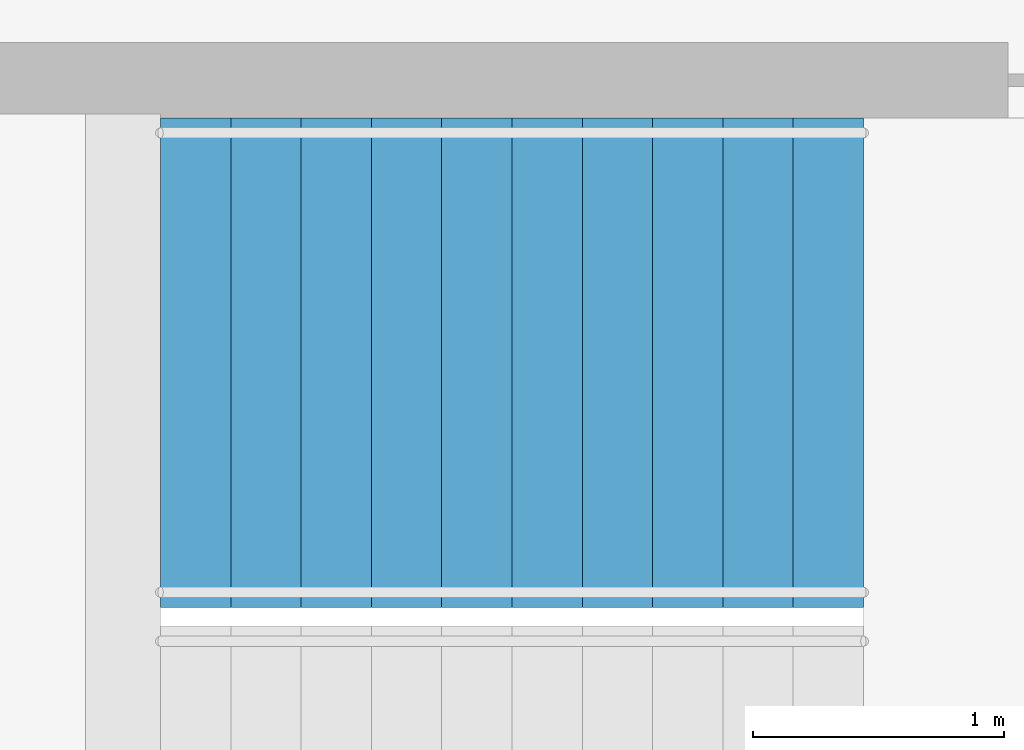
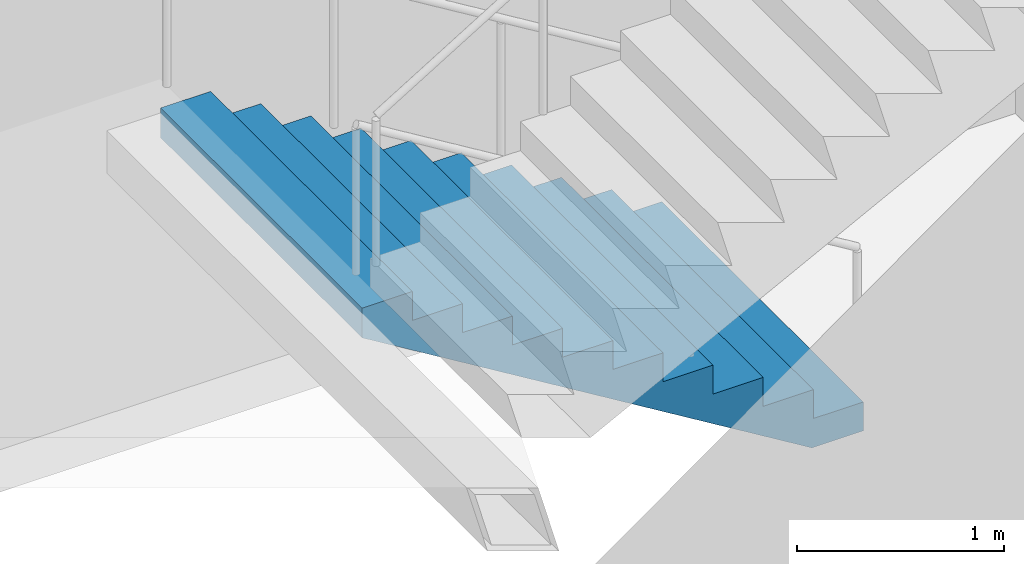
# One storey, part 20 of 21: 1 stair flight, 1 element without a shape of its own.
"""IFC4 building model written with IfcOpenShell, lengths in metres."""

from ifc_helpers import new_model, si_unit, direction, frame, origin, place, context, subcontext, project, spatial, triangles, material, type_object, element, aggregate, save


model = new_model("IFC4")

# Units and contexts
model_context = context("Model", 3, precision=1e-05, world=origin(), true_north=direction((0.0, 1.0)))
body_context = subcontext(model_context, "Body", "Model", "MODEL_VIEW")
ifc_project = project(units=[si_unit("LENGTHUNIT", "METRE"), si_unit("AREAUNIT", "SQUARE_METRE"), si_unit("VOLUMEUNIT", "CUBIC_METRE"), si_unit("PLANEANGLEUNIT", "RADIAN"), si_unit("MASSUNIT", "GRAM", prefix="KILO")], contexts=[model_context])

# Site, building, storey
site_placement = place(None, origin())
site = spatial("IfcSite", under=ifc_project, at=site_placement, CompositionType="ELEMENT")
building_placement = place(site_placement, origin())
building = spatial("IfcBuilding", under=site, at=building_placement, Name="Orbita Commons", CompositionType="ELEMENT")
storey_placement = place(building_placement, frame((0.0, 0.0, 88.14990234375)))
storey = spatial("IfcBuildingStorey", under=building, at=storey_placement, Name="L21", CompositionType="ELEMENT", Elevation=88.14990234375)

# Stair, stair flight
ifc_material_1 = material(Name="Precast concrete C40/50", Category="concrete")
stair_type = type_object("IfcStairType", Name="Exit stair S2 2 flights 11 risers 170", PredefinedType="HALF_TURN_STAIR", material=ifc_material_1)
stair_placement = place(storey_placement, origin())
stair = element("IfcStair", 1, at=stair_placement, inside=storey, type_object=stair_type, Name="Exit stair S2 L21", PredefinedType="HALF_TURN_STAIR")
ifc_material_2 = material(Name="Precast concrete C40/50", Category="concrete")
stair_flight_type = type_object("IfcStairFlightType", Name="Stair flight 11 risers 170 x 280", PredefinedType="STRAIGHT", material=ifc_material_2)
stair_flight_placement = place(storey_placement, frame((63.550048828125, 29.27490234375, 0.0), z_axis=(0.0, 0.0, 1.0), x_axis=(-1.0, 0.0, 0.0)))
stair_flight = element("IfcStairFlight", 2, at=stair_flight_placement, type_object=stair_flight_type, Name="S2 flight 1", NumberOfRisers=11, NumberOfTreads=10, PredefinedType="STRAIGHT", RiserHeight=0.170454545, TreadLength=0.28, context=body_context, shape_type="Tessellation", body=[
    triangles([(0.0, 0.974976, 0.0), (0.0, 0.974976, 0.021307), (0.0, 0.81248, 0.021307), (0.0, 0.81248, 0.0), (0.0, 0.649984, 0.021307), (0.0, 0.649984, 0.0), (0.0, 0.487488, 0.021307), (0.0, 0.487488, 0.0), (0.0, 0.324992, 0.021307), (0.0, 0.324992, 0.0), (0.0, 0.162496, 0.021307), (0.0, 0.162496, 0.0), (0.0, 0.0, 0.021307), (0.0, 0.0, 0.0), (0.0, -0.162496, 0.021307), (0.0, -0.162496, 0.0), (0.0, -0.324992, 0.021307), (0.0, -0.324992, 0.0), (0.0, -0.487488, 0.021307), (0.0, -0.487488, 0.0), (0.0, -0.649984, 0.021307), (0.0, -0.649984, 0.0), (0.0, -0.81248, 0.021307), (0.0, -0.81248, 0.0), (0.0, -0.974976, 0.021307), (0.0, -0.974976, 0.0), (0.0, 0.974976, 0.042614), (0.0, 0.81248, 0.042614), (0.0, 0.649984, 0.042614), (0.0, 0.487488, 0.042614), (0.0, 0.324992, 0.042614), (0.0, 0.162496, 0.042614), (0.0, 0.0, 0.042614), (0.0, -0.162496, 0.042614), (0.0, -0.324992, 0.042614), (0.0, -0.487488, 0.042614), (0.0, -0.649984, 0.042614), (0.0, -0.81248, 0.042614), (0.0, -0.974976, 0.042614), (0.0, 0.974976, 0.06392), (0.0, 0.81248, 0.06392), (0.0, 0.649984, 0.06392), (0.0, 0.487488, 0.06392), (0.0, 0.324992, 0.06392), (0.0, 0.162496, 0.06392), (0.0, 0.0, 0.06392), (0.0, -0.162496, 0.06392), (0.0, -0.324992, 0.06392), (0.0, -0.487488, 0.06392), (0.0, -0.649984, 0.06392), (0.0, -0.81248, 0.06392), (0.0, -0.974976, 0.06392), (0.0, 0.974976, 0.085227), (0.0, 0.81248, 0.085227), (0.0, 0.649984, 0.085227), (0.0, 0.487488, 0.085227), (0.0, 0.324992, 0.085227), (0.0, 0.162496, 0.085227), (0.0, 0.0, 0.085227), (0.0, -0.162496, 0.085227), (0.0, -0.324992, 0.085227), (0.0, -0.487488, 0.085227), (0.0, -0.649984, 0.085227), (0.0, -0.81248, 0.085227), (0.0, -0.974976, 0.085227), (0.0, 0.974976, 0.106534), (0.0, 0.81248, 0.106534), (0.0, 0.649984, 0.106534), (0.0, 0.487488, 0.106534), (0.0, 0.324992, 0.106534), (0.0, 0.162496, 0.106534), (0.0, 0.0, 0.106534), (0.0, -0.162496, 0.106534), (0.0, -0.324992, 0.106534), (0.0, -0.487488, 0.106534), (0.0, -0.649984, 0.106534), (0.0, -0.81248, 0.106534), (0.0, -0.974976, 0.106534), (0.0, 0.974976, 0.127841), (0.0, 0.81248, 0.127841), (0.0, 0.649984, 0.127841), (0.0, 0.487488, 0.127841), (0.0, 0.324992, 0.127841), (0.0, 0.162496, 0.127841), (0.0, 0.0, 0.127841), (0.0, -0.162496, 0.127841), (0.0, -0.324992, 0.127841), (0.0, -0.487488, 0.127841), (0.0, -0.649984, 0.127841), (0.0, -0.81248, 0.127841), (0.0, -0.974976, 0.127841), (0.0, 0.974976, 0.149148), (0.0, 0.81248, 0.149148), (0.0, 0.649984, 0.149148), (0.0, 0.487488, 0.149148), (0.0, 0.324992, 0.149148), (0.0, 0.162496, 0.149148), (0.0, 0.0, 0.149148), (0.0, -0.162496, 0.149148), (0.0, -0.324992, 0.149148), (0.0, -0.487488, 0.149148), (0.0, -0.649984, 0.149148), (0.0, -0.81248, 0.149148), (0.0, -0.974976, 0.149148), (0.0, 0.974976, 0.170455), (0.0, 0.81248, 0.170455), (0.0, 0.649984, 0.170455), (0.0, 0.487488, 0.170455), (0.0, 0.324992, 0.170455), (0.0, 0.162496, 0.170455), (0.0, 0.0, 0.170455), (0.0, -0.162496, 0.170455), (0.0, -0.324992, 0.170455), (0.0, -0.487488, 0.170455), (0.0, -0.649984, 0.170455), (0.0, -0.81248, 0.170455), (0.0, -0.974976, 0.170455), (0.28, 0.974976, 0.170455), (0.28, 0.81248, 0.170455), (0.28, 0.649984, 0.170455), (0.28, 0.487488, 0.170455), (0.28, 0.324992, 0.170455), (0.28, 0.162496, 0.170455), (0.28, 0.0, 0.170455), (0.28, -0.162496, 0.170455), (0.28, -0.324992, 0.170455), (0.28, -0.487488, 0.170455), (0.28, -0.649984, 0.170455), (0.28, -0.81248, 0.170455), (0.28, -0.974976, 0.170455), (0.28, 0.974976, 0.340909), (0.28, 0.81248, 0.340909), (0.28, 0.649984, 0.340909), (0.28, 0.487488, 0.340909), (0.28, 0.324992, 0.340909), (0.28, 0.162496, 0.340909), (0.28, 0.0, 0.340909), (0.28, -0.162496, 0.340909), (0.28, -0.324992, 0.340909), (0.28, -0.487488, 0.340909), (0.28, -0.649984, 0.340909), (0.28, -0.81248, 0.340909), (0.28, -0.974976, 0.340909), (0.56, 0.974976, 0.340909), (0.56, 0.81248, 0.340909), (0.56, 0.649984, 0.340909), (0.56, 0.487488, 0.340909), (0.56, 0.324992, 0.340909), (0.56, 0.162496, 0.340909), (0.56, 0.0, 0.340909), (0.56, -0.162496, 0.340909), (0.56, -0.324992, 0.340909), (0.56, -0.487488, 0.340909), (0.56, -0.649984, 0.340909), (0.56, -0.81248, 0.340909), (0.56, -0.974976, 0.340909), (0.56, 0.974976, 0.511364), (0.56, 0.81248, 0.511364), (0.56, 0.649984, 0.511364), (0.56, 0.487488, 0.511364), (0.56, 0.324992, 0.511364), (0.56, 0.162496, 0.511364), (0.56, 0.0, 0.511364), (0.56, -0.162496, 0.511364), (0.56, -0.324992, 0.511364), (0.56, -0.487488, 0.511364), (0.56, -0.649984, 0.511364), (0.56, -0.81248, 0.511364), (0.56, -0.974976, 0.511364), (0.84, 0.974976, 0.511364), (0.84, 0.81248, 0.511364), (0.84, 0.649984, 0.511364), (0.84, 0.487488, 0.511364), (0.84, 0.324992, 0.511364), (0.84, 0.162496, 0.511364), (0.84, 0.0, 0.511364), (0.84, -0.162496, 0.511364), (0.84, -0.324992, 0.511364), (0.84, -0.487488, 0.511364), (0.84, -0.649984, 0.511364), (0.84, -0.81248, 0.511364), (0.84, -0.974976, 0.511364), (0.84, 0.974976, 0.681818), (0.84, 0.81248, 0.681818), (0.84, 0.649984, 0.681818), (0.84, 0.487488, 0.681818), (0.84, 0.324992, 0.681818), (0.84, 0.162496, 0.681818), (0.84, 0.0, 0.681818), (0.84, -0.162496, 0.681818), (0.84, -0.324992, 0.681818), (0.84, -0.487488, 0.681818), (0.84, -0.649984, 0.681818), (0.84, -0.81248, 0.681818), (0.84, -0.974976, 0.681818), (1.12, 0.974976, 0.681818), (1.12, 0.81248, 0.681818), (1.12, 0.649984, 0.681818), (1.12, 0.487488, 0.681818), (1.12, 0.324992, 0.681818), (1.12, 0.162496, 0.681818), (1.12, 0.0, 0.681818), (1.12, -0.162496, 0.681818), (1.12, -0.324992, 0.681818), (1.12, -0.487488, 0.681818), (1.12, -0.649984, 0.681818), (1.12, -0.81248, 0.681818), (1.12, -0.974976, 0.681818), (1.12, 0.974976, 0.852273), (1.12, 0.81248, 0.852273), (1.12, 0.649984, 0.852273), (1.12, 0.487488, 0.852273), (1.12, 0.324992, 0.852273), (1.12, 0.162496, 0.852273), (1.12, 0.0, 0.852273), (1.12, -0.162496, 0.852273), (1.12, -0.324992, 0.852273), (1.12, -0.487488, 0.852273), (1.12, -0.649984, 0.852273), (1.12, -0.81248, 0.852273), (1.12, -0.974976, 0.852273), (1.4, 0.974976, 0.852273), (1.4, 0.81248, 0.852273), (1.4, 0.649984, 0.852273), (1.4, 0.487488, 0.852273), (1.4, 0.324992, 0.852273), (1.4, 0.162496, 0.852273), (1.4, 0.0, 0.852273), (1.4, -0.162496, 0.852273), (1.4, -0.324992, 0.852273), (1.4, -0.487488, 0.852273), (1.4, -0.649984, 0.852273), (1.4, -0.81248, 0.852273), (1.4, -0.974976, 0.852273), (1.4, 0.974976, 1.022727), (1.4, 0.81248, 1.022727), (1.4, 0.649984, 1.022727), (1.4, 0.487488, 1.022727), (1.4, 0.324992, 1.022727), (1.4, 0.162496, 1.022727), (1.4, 0.0, 1.022727), (1.4, -0.162496, 1.022727), (1.4, -0.324992, 1.022727), (1.4, -0.487488, 1.022727), (1.4, -0.649984, 1.022727), (1.4, -0.81248, 1.022727), (1.4, -0.974976, 1.022727), (1.68, 0.974976, 1.022727), (1.68, 0.81248, 1.022727), (1.68, 0.649984, 1.022727), (1.68, 0.487488, 1.022727), (1.68, 0.324992, 1.022727), (1.68, 0.162496, 1.022727), (1.68, 0.0, 1.022727), (1.68, -0.162496, 1.022727), (1.68, -0.324992, 1.022727), (1.68, -0.487488, 1.022727), (1.68, -0.649984, 1.022727), (1.68, -0.81248, 1.022727), (1.68, -0.974976, 1.022727), (1.68, 0.974976, 1.193182), (1.68, 0.81248, 1.193182), (1.68, 0.649984, 1.193182), (1.68, 0.487488, 1.193182), (1.68, 0.324992, 1.193182), (1.68, 0.162496, 1.193182), (1.68, 0.0, 1.193182), (1.68, -0.162496, 1.193182), (1.68, -0.324992, 1.193182), (1.68, -0.487488, 1.193182), (1.68, -0.649984, 1.193182), (1.68, -0.81248, 1.193182), (1.68, -0.974976, 1.193182), (1.96, 0.974976, 1.193182), (1.96, 0.81248, 1.193182), (1.96, 0.649984, 1.193182), (1.96, 0.487488, 1.193182), (1.96, 0.324992, 1.193182), (1.96, 0.162496, 1.193182), (1.96, 0.0, 1.193182), (1.96, -0.162496, 1.193182), (1.96, -0.324992, 1.193182), (1.96, -0.487488, 1.193182), (1.96, -0.649984, 1.193182), (1.96, -0.81248, 1.193182), (1.96, -0.974976, 1.193182), (1.96, 0.974976, 1.363636), (1.96, 0.81248, 1.363636), (1.96, 0.649984, 1.363636), (1.96, 0.487488, 1.363636), (1.96, 0.324992, 1.363636), (1.96, 0.162496, 1.363636), (1.96, 0.0, 1.363636), (1.96, -0.162496, 1.363636), (1.96, -0.324992, 1.363636), (1.96, -0.487488, 1.363636), (1.96, -0.649984, 1.363636), (1.96, -0.81248, 1.363636), (1.96, -0.974976, 1.363636), (2.24, 0.974976, 1.363636), (2.24, 0.81248, 1.363636), (2.24, 0.649984, 1.363636), (2.24, 0.487488, 1.363636), (2.24, 0.324992, 1.363636), (2.24, 0.162496, 1.363636), (2.24, 0.0, 1.363636), (2.24, -0.162496, 1.363636), (2.24, -0.324992, 1.363636), (2.24, -0.487488, 1.363636), (2.24, -0.649984, 1.363636), (2.24, -0.81248, 1.363636), (2.24, -0.974976, 1.363636), (2.24, 0.974976, 1.534091), (2.24, 0.81248, 1.534091), (2.24, 0.649984, 1.534091), (2.24, 0.487488, 1.534091), (2.24, 0.324992, 1.534091), (2.24, 0.162496, 1.534091), (2.24, 0.0, 1.534091), (2.24, -0.162496, 1.534091), (2.24, -0.324992, 1.534091), (2.24, -0.487488, 1.534091), (2.24, -0.649984, 1.534091), (2.24, -0.81248, 1.534091), (2.24, -0.974976, 1.534091), (2.52, 0.974976, 1.534091), (2.52, 0.81248, 1.534091), (2.52, 0.649984, 1.534091), (2.52, 0.487488, 1.534091), (2.52, 0.324992, 1.534091), (2.52, 0.162496, 1.534091), (2.52, 0.0, 1.534091), (2.52, -0.162496, 1.534091), (2.52, -0.324992, 1.534091), (2.52, -0.487488, 1.534091), (2.52, -0.649984, 1.534091), (2.52, -0.81248, 1.534091), (2.52, -0.974976, 1.534091), (2.52, 0.974976, 1.704545), (2.52, 0.81248, 1.704545), (2.52, 0.649984, 1.704545), (2.52, 0.487488, 1.704545), (2.52, 0.324992, 1.704545), (2.52, 0.162496, 1.704545), (2.52, 0.0, 1.704545), (2.52, -0.162496, 1.704545), (2.52, -0.324992, 1.704545), (2.52, -0.487488, 1.704545), (2.52, -0.649984, 1.704545), (2.52, -0.81248, 1.704545), (2.52, -0.974976, 1.704545), (2.8, 0.974976, 1.704545), (2.8, 0.81248, 1.704545), (2.8, 0.649984, 1.704545), (2.8, 0.487488, 1.704545), (2.8, 0.324992, 1.704545), (2.8, 0.162496, 1.704545), (2.8, 0.0, 1.704545), (2.8, -0.162496, 1.704545), (2.8, -0.324992, 1.704545), (2.8, -0.487488, 1.704545), (2.8, -0.649984, 1.704545), (2.8, -0.81248, 1.704545), (2.8, -0.974976, 1.704545), (2.8, 0.974976, 1.682609), (2.8, 0.81248, 1.682609), (2.8, 0.649984, 1.682609), (2.8, 0.487488, 1.682609), (2.8, 0.324992, 1.682609), (2.8, 0.162496, 1.682609), (2.8, 0.0, 1.682609), (2.8, -0.162496, 1.682609), (2.8, -0.324992, 1.682609), (2.8, -0.487488, 1.682609), (2.8, -0.649984, 1.682609), (2.8, -0.81248, 1.682609), (2.8, -0.974976, 1.682609), (2.8, 0.974976, 1.660672), (2.8, 0.81248, 1.660672), (2.8, 0.649984, 1.660672), (2.8, 0.487488, 1.660672), (2.8, 0.324992, 1.660672), (2.8, 0.162496, 1.660672), (2.8, 0.0, 1.660672), (2.8, -0.162496, 1.660672), (2.8, -0.324992, 1.660672), (2.8, -0.487488, 1.660672), (2.8, -0.649984, 1.660672), (2.8, -0.81248, 1.660672), (2.8, -0.974976, 1.660672), (2.8, 0.974976, 1.638735), (2.8, 0.81248, 1.638735), (2.8, 0.649984, 1.638735), (2.8, 0.487488, 1.638735), (2.8, 0.324992, 1.638735), (2.8, 0.162496, 1.638735), (2.8, 0.0, 1.638735), (2.8, -0.162496, 1.638735), (2.8, -0.324992, 1.638735), (2.8, -0.487488, 1.638735), (2.8, -0.649984, 1.638735), (2.8, -0.81248, 1.638735), (2.8, -0.974976, 1.638735), (2.8, 0.974976, 1.616798), (2.8, 0.81248, 1.616798), (2.8, 0.649984, 1.616798), (2.8, 0.487488, 1.616798), (2.8, 0.324992, 1.616798), (2.8, 0.162496, 1.616798), (2.8, 0.0, 1.616798), (2.8, -0.162496, 1.616798), (2.8, -0.324992, 1.616798), (2.8, -0.487488, 1.616798), (2.8, -0.649984, 1.616798), (2.8, -0.81248, 1.616798), (2.8, -0.974976, 1.616798), (2.8, 0.974976, 1.594861), (2.8, 0.81248, 1.594861), (2.8, 0.649984, 1.594861), (2.8, 0.487488, 1.594861), (2.8, 0.324992, 1.594861), (2.8, 0.162496, 1.594861), (2.8, 0.0, 1.594861), (2.8, -0.162496, 1.594861), (2.8, -0.324992, 1.594861), (2.8, -0.487488, 1.594861), (2.8, -0.649984, 1.594861), (2.8, -0.81248, 1.594861), (2.8, -0.974976, 1.594861), (2.8, 0.974976, 1.572925), (2.8, 0.81248, 1.572925), (2.8, 0.649984, 1.572925), (2.8, 0.487488, 1.572925), (2.8, 0.324992, 1.572925), (2.8, 0.162496, 1.572925), (2.8, 0.0, 1.572925), (2.8, -0.162496, 1.572925), (2.8, -0.324992, 1.572925), (2.8, -0.487488, 1.572925), (2.8, -0.649984, 1.572925), (2.8, -0.81248, 1.572925), (2.8, -0.974976, 1.572925), (2.8, 0.974976, 1.550988), (2.8, 0.81248, 1.550988), (2.8, 0.649984, 1.550988), (2.8, 0.487488, 1.550988), (2.8, 0.324992, 1.550988), (2.8, 0.162496, 1.550988), (2.8, 0.0, 1.550988), (2.8, -0.162496, 1.550988), (2.8, -0.324992, 1.550988), (2.8, -0.487488, 1.550988), (2.8, -0.649984, 1.550988), (2.8, -0.81248, 1.550988), (2.8, -0.974976, 1.550988), (2.8, 0.974976, 1.529051), (2.8, 0.81248, 1.529051), (2.8, 0.649984, 1.529051), (2.8, 0.487488, 1.529051), (2.8, 0.324992, 1.529051), (2.8, 0.162496, 1.529051), (2.8, 0.0, 1.529051), (2.8, -0.162496, 1.529051), (2.8, -0.324992, 1.529051), (2.8, -0.487488, 1.529051), (2.8, -0.649984, 1.529051), (2.8, -0.81248, 1.529051), (2.8, -0.974976, 1.529051), (0.288279, 0.974976, 0.0), (0.288279, 0.81248, 0.0), (0.288279, 0.649984, 0.0), (0.288279, 0.487488, 0.0), (0.288279, 0.324992, 0.0), (0.288279, 0.162496, 0.0), (0.288279, 0.0, 0.0), (0.288279, -0.162496, 0.0), (0.288279, -0.324992, 0.0), (0.288279, -0.487488, 0.0), (0.288279, -0.649984, 0.0), (0.288279, -0.81248, 0.0), (0.288279, -0.974976, 0.0)], [[3, 2, 1], [4, 3, 1], [5, 3, 4], [6, 5, 4], [7, 5, 6], [8, 7, 6], [9, 7, 8], [10, 9, 8], [11, 9, 10], [12, 11, 10], [13, 11, 12], [14, 13, 12], [15, 13, 14], [16, 15, 14], [17, 15, 16], [18, 17, 16], [19, 17, 18], [20, 19, 18], [21, 19, 20], [22, 21, 20], [23, 21, 22], [24, 23, 22], [25, 23, 24], [26, 25, 24], [28, 27, 2], [3, 28, 2], [29, 28, 3], [5, 29, 3], [30, 29, 5], [7, 30, 5], [31, 30, 7], [9, 31, 7], [32, 31, 9], [11, 32, 9], [33, 32, 11], [13, 33, 11], [34, 33, 13], [15, 34, 13], [35, 34, 15], [17, 35, 15], [36, 35, 17], [19, 36, 17], [37, 36, 19], [21, 37, 19], [38, 37, 21], [23, 38, 21], [39, 38, 23], [25, 39, 23], [41, 40, 27], [28, 41, 27], [42, 41, 28], [29, 42, 28], [43, 42, 29], [30, 43, 29], [44, 43, 30], [31, 44, 30], [45, 44, 31], [32, 45, 31], [46, 45, 32], [33, 46, 32], [47, 46, 33], [34, 47, 33], [48, 47, 34], [35, 48, 34], [49, 48, 35], [36, 49, 35], [50, 49, 36], [37, 50, 36], [51, 50, 37], [38, 51, 37], [52, 51, 38], [39, 52, 38], [54, 53, 40], [41, 54, 40], [55, 54, 41], [42, 55, 41], [56, 55, 42], [43, 56, 42], [57, 56, 43], [44, 57, 43], [58, 57, 44], [45, 58, 44], [59, 58, 45], [46, 59, 45], [60, 59, 46], [47, 60, 46], [61, 60, 47], [48, 61, 47], [62, 61, 48], [49, 62, 48], [63, 62, 49], [50, 63, 49], [64, 63, 50], [51, 64, 50], [65, 64, 51], [52, 65, 51], [67, 66, 53], [54, 67, 53], [68, 67, 54], [55, 68, 54], [69, 68, 55], [56, 69, 55], [70, 69, 56], [57, 70, 56], [71, 70, 57], [58, 71, 57], [72, 71, 58], [59, 72, 58], [73, 72, 59], [60, 73, 59], [74, 73, 60], [61, 74, 60], [75, 74, 61], [62, 75, 61], [76, 75, 62], [63, 76, 62], [77, 76, 63], [64, 77, 63], [78, 77, 64], [65, 78, 64], [80, 79, 66], [67, 80, 66], [81, 80, 67], [68, 81, 67], [82, 81, 68], [69, 82, 68], [83, 82, 69], [70, 83, 69], [84, 83, 70], [71, 84, 70], [85, 84, 71], [72, 85, 71], [86, 85, 72], [73, 86, 72], [87, 86, 73], [74, 87, 73], [88, 87, 74], [75, 88, 74], [89, 88, 75], [76, 89, 75], [90, 89, 76], [77, 90, 76], [91, 90, 77], [78, 91, 77], [93, 92, 79], [80, 93, 79], [94, 93, 80], [81, 94, 80], [95, 94, 81], [82, 95, 81], [96, 95, 82], [83, 96, 82], [97, 96, 83], [84, 97, 83], [98, 97, 84], [85, 98, 84], [99, 98, 85], [86, 99, 85], [100, 99, 86], [87, 100, 86], [101, 100, 87], [88, 101, 87], [102, 101, 88], [89, 102, 88], [103, 102, 89], [90, 103, 89], [104, 103, 90], [91, 104, 90], [106, 105, 92], [93, 106, 92], [107, 106, 93], [94, 107, 93], [108, 107, 94], [95, 108, 94], [109, 108, 95], [96, 109, 95], [110, 109, 96], [97, 110, 96], [111, 110, 97], [98, 111, 97], [112, 111, 98], [99, 112, 98], [113, 112, 99], [100, 113, 99], [114, 113, 100], [101, 114, 100], [115, 114, 101], [102, 115, 101], [116, 115, 102], [103, 116, 102], [117, 116, 103], [104, 117, 103], [119, 118, 105], [106, 119, 105], [120, 119, 106], [107, 120, 106], [121, 120, 107], [108, 121, 107], [122, 121, 108], [109, 122, 108], [123, 122, 109], [110, 123, 109], [124, 123, 110], [111, 124, 110], [125, 124, 111], [112, 125, 111], [126, 125, 112], [113, 126, 112], [127, 126, 113], [114, 127, 113], [128, 127, 114], [115, 128, 114], [129, 128, 115], [116, 129, 115], [130, 129, 116], [117, 130, 116], [132, 131, 118], [119, 132, 118], [133, 132, 119], [120, 133, 119], [134, 133, 120], [121, 134, 120], [135, 134, 121], [122, 135, 121], [136, 135, 122], [123, 136, 122], [137, 136, 123], [124, 137, 123], [138, 137, 124], [125, 138, 124], [139, 138, 125], [126, 139, 125], [140, 139, 126], [127, 140, 126], [141, 140, 127], [128, 141, 127], [142, 141, 128], [129, 142, 128], [143, 142, 129], [130, 143, 129], [145, 144, 131], [132, 145, 131], [146, 145, 132], [133, 146, 132], [147, 146, 133], [134, 147, 133], [148, 147, 134], [135, 148, 134], [149, 148, 135], [136, 149, 135], [150, 149, 136], [137, 150, 136], [151, 150, 137], [138, 151, 137], [152, 151, 138], [139, 152, 138], [153, 152, 139], [140, 153, 139], [154, 153, 140], [141, 154, 140], [155, 154, 141], [142, 155, 141], [156, 155, 142], [143, 156, 142], [158, 157, 144], [145, 158, 144], [159, 158, 145], [146, 159, 145], [160, 159, 146], [147, 160, 146], [161, 160, 147], [148, 161, 147], [162, 161, 148], [149, 162, 148], [163, 162, 149], [150, 163, 149], [164, 163, 150], [151, 164, 150], [165, 164, 151], [152, 165, 151], [166, 165, 152], [153, 166, 152], [167, 166, 153], [154, 167, 153], [168, 167, 154], [155, 168, 154], [169, 168, 155], [156, 169, 155], [171, 170, 157], [158, 171, 157], [172, 171, 158], [159, 172, 158], [173, 172, 159], [160, 173, 159], [174, 173, 160], [161, 174, 160], [175, 174, 161], [162, 175, 161], [176, 175, 162], [163, 176, 162], [177, 176, 163], [164, 177, 163], [178, 177, 164], [165, 178, 164], [179, 178, 165], [166, 179, 165], [180, 179, 166], [167, 180, 166], [181, 180, 167], [168, 181, 167], [182, 181, 168], [169, 182, 168], [184, 183, 170], [171, 184, 170], [185, 184, 171], [172, 185, 171], [186, 185, 172], [173, 186, 172], [187, 186, 173], [174, 187, 173], [188, 187, 174], [175, 188, 174], [189, 188, 175], [176, 189, 175], [190, 189, 176], [177, 190, 176], [191, 190, 177], [178, 191, 177], [192, 191, 178], [179, 192, 178], [193, 192, 179], [180, 193, 179], [194, 193, 180], [181, 194, 180], [195, 194, 181], [182, 195, 181], [197, 196, 183], [184, 197, 183], [198, 197, 184], [185, 198, 184], [199, 198, 185], [186, 199, 185], [200, 199, 186], [187, 200, 186], [201, 200, 187], [188, 201, 187], [202, 201, 188], [189, 202, 188], [203, 202, 189], [190, 203, 189], [204, 203, 190], [191, 204, 190], [205, 204, 191], [192, 205, 191], [206, 205, 192], [193, 206, 192], [207, 206, 193], [194, 207, 193], [208, 207, 194], [195, 208, 194], [210, 209, 196], [197, 210, 196], [211, 210, 197], [198, 211, 197], [212, 211, 198], [199, 212, 198], [213, 212, 199], [200, 213, 199], [214, 213, 200], [201, 214, 200], [215, 214, 201], [202, 215, 201], [216, 215, 202], [203, 216, 202], [217, 216, 203], [204, 217, 203], [218, 217, 204], [205, 218, 204], [219, 218, 205], [206, 219, 205], [220, 219, 206], [207, 220, 206], [221, 220, 207], [208, 221, 207], [223, 222, 209], [210, 223, 209], [224, 223, 210], [211, 224, 210], [225, 224, 211], [212, 225, 211], [226, 225, 212], [213, 226, 212], [227, 226, 213], [214, 227, 213], [228, 227, 214], [215, 228, 214], [229, 228, 215], [216, 229, 215], [230, 229, 216], [217, 230, 216], [231, 230, 217], [218, 231, 217], [232, 231, 218], [219, 232, 218], [233, 232, 219], [220, 233, 219], [234, 233, 220], [221, 234, 220], [236, 235, 222], [223, 236, 222], [237, 236, 223], [224, 237, 223], [238, 237, 224], [225, 238, 224], [239, 238, 225], [226, 239, 225], [240, 239, 226], [227, 240, 226], [241, 240, 227], [228, 241, 227], [242, 241, 228], [229, 242, 228], [243, 242, 229], [230, 243, 229], [244, 243, 230], [231, 244, 230], [245, 244, 231], [232, 245, 231], [246, 245, 232], [233, 246, 232], [247, 246, 233], [234, 247, 233], [249, 248, 235], [236, 249, 235], [250, 249, 236], [237, 250, 236], [251, 250, 237], [238, 251, 237], [252, 251, 238], [239, 252, 238], [253, 252, 239], [240, 253, 239], [254, 253, 240], [241, 254, 240], [255, 254, 241], [242, 255, 241], [256, 255, 242], [243, 256, 242], [257, 256, 243], [244, 257, 243], [258, 257, 244], [245, 258, 244], [259, 258, 245], [246, 259, 245], [260, 259, 246], [247, 260, 246], [262, 261, 248], [249, 262, 248], [263, 262, 249], [250, 263, 249], [264, 263, 250], [251, 264, 250], [265, 264, 251], [252, 265, 251], [266, 265, 252], [253, 266, 252], [267, 266, 253], [254, 267, 253], [268, 267, 254], [255, 268, 254], [269, 268, 255], [256, 269, 255], [270, 269, 256], [257, 270, 256], [271, 270, 257], [258, 271, 257], [272, 271, 258], [259, 272, 258], [273, 272, 259], [260, 273, 259], [275, 274, 261], [262, 275, 261], [276, 275, 262], [263, 276, 262], [277, 276, 263], [264, 277, 263], [278, 277, 264], [265, 278, 264], [279, 278, 265], [266, 279, 265], [280, 279, 266], [267, 280, 266], [281, 280, 267], [268, 281, 267], [282, 281, 268], [269, 282, 268], [283, 282, 269], [270, 283, 269], [284, 283, 270], [271, 284, 270], [285, 284, 271], [272, 285, 271], [286, 285, 272], [273, 286, 272], [288, 287, 274], [275, 288, 274], [289, 288, 275], [276, 289, 275], [290, 289, 276], [277, 290, 276], [291, 290, 277], [278, 291, 277], [292, 291, 278], [279, 292, 278], [293, 292, 279], [280, 293, 279], [294, 293, 280], [281, 294, 280], [295, 294, 281], [282, 295, 281], [296, 295, 282], [283, 296, 282], [297, 296, 283], [284, 297, 283], [298, 297, 284], [285, 298, 284], [299, 298, 285], [286, 299, 285], [301, 300, 287], [288, 301, 287], [302, 301, 288], [289, 302, 288], [303, 302, 289], [290, 303, 289], [304, 303, 290], [291, 304, 290], [305, 304, 291], [292, 305, 291], [306, 305, 292], [293, 306, 292], [307, 306, 293], [294, 307, 293], [308, 307, 294], [295, 308, 294], [309, 308, 295], [296, 309, 295], [310, 309, 296], [297, 310, 296], [311, 310, 297], [298, 311, 297], [312, 311, 298], [299, 312, 298], [314, 313, 300], [301, 314, 300], [315, 314, 301], [302, 315, 301], [316, 315, 302], [303, 316, 302], [317, 316, 303], [304, 317, 303], [318, 317, 304], [305, 318, 304], [319, 318, 305], [306, 319, 305], [320, 319, 306], [307, 320, 306], [321, 320, 307], [308, 321, 307], [322, 321, 308], [309, 322, 308], [323, 322, 309], [310, 323, 309], [324, 323, 310], [311, 324, 310], [325, 324, 311], [312, 325, 311], [327, 326, 313], [314, 327, 313], [328, 327, 314], [315, 328, 314], [329, 328, 315], [316, 329, 315], [330, 329, 316], [317, 330, 316], [331, 330, 317], [318, 331, 317], [332, 331, 318], [319, 332, 318], [333, 332, 319], [320, 333, 319], [334, 333, 320], [321, 334, 320], [335, 334, 321], [322, 335, 321], [336, 335, 322], [323, 336, 322], [337, 336, 323], [324, 337, 323], [338, 337, 324], [325, 338, 324], [340, 339, 326], [327, 340, 326], [341, 340, 327], [328, 341, 327], [342, 341, 328], [329, 342, 328], [343, 342, 329], [330, 343, 329], [344, 343, 330], [331, 344, 330], [345, 344, 331], [332, 345, 331], [346, 345, 332], [333, 346, 332], [347, 346, 333], [334, 347, 333], [348, 347, 334], [335, 348, 334], [349, 348, 335], [336, 349, 335], [350, 349, 336], [337, 350, 336], [351, 350, 337], [338, 351, 337], [353, 352, 339], [340, 353, 339], [354, 353, 340], [341, 354, 340], [355, 354, 341], [342, 355, 341], [356, 355, 342], [343, 356, 342], [357, 356, 343], [344, 357, 343], [358, 357, 344], [345, 358, 344], [359, 358, 345], [346, 359, 345], [360, 359, 346], [347, 360, 346], [361, 360, 347], [348, 361, 347], [362, 361, 348], [349, 362, 348], [363, 362, 349], [350, 363, 349], [364, 363, 350], [351, 364, 350], [366, 365, 352], [353, 366, 352], [367, 366, 353], [354, 367, 353], [368, 367, 354], [355, 368, 354], [369, 368, 355], [356, 369, 355], [370, 369, 356], [357, 370, 356], [371, 370, 357], [358, 371, 357], [372, 371, 358], [359, 372, 358], [373, 372, 359], [360, 373, 359], [374, 373, 360], [361, 374, 360], [375, 374, 361], [362, 375, 361], [376, 375, 362], [363, 376, 362], [377, 376, 363], [364, 377, 363], [379, 378, 365], [366, 379, 365], [380, 379, 366], [367, 380, 366], [381, 380, 367], [368, 381, 367], [382, 381, 368], [369, 382, 368], [383, 382, 369], [370, 383, 369], [384, 383, 370], [371, 384, 370], [385, 384, 371], [372, 385, 371], [386, 385, 372], [373, 386, 372], [387, 386, 373], [374, 387, 373], [388, 387, 374], [375, 388, 374], [389, 388, 375], [376, 389, 375], [390, 389, 376], [377, 390, 376], [392, 391, 378], [379, 392, 378], [393, 392, 379], [380, 393, 379], [394, 393, 380], [381, 394, 380], [395, 394, 381], [382, 395, 381], [396, 395, 382], [383, 396, 382], [397, 396, 383], [384, 397, 383], [398, 397, 384], [385, 398, 384], [399, 398, 385], [386, 399, 385], [400, 399, 386], [387, 400, 386], [401, 400, 387], [388, 401, 387], [402, 401, 388], [389, 402, 388], [403, 402, 389], [390, 403, 389], [405, 404, 391], [392, 405, 391], [406, 405, 392], [393, 406, 392], [407, 406, 393], [394, 407, 393], [408, 407, 394], [395, 408, 394], [409, 408, 395], [396, 409, 395], [410, 409, 396], [397, 410, 396], [411, 410, 397], [398, 411, 397], [412, 411, 398], [399, 412, 398], [413, 412, 399], [400, 413, 399], [414, 413, 400], [401, 414, 400], [415, 414, 401], [402, 415, 401], [416, 415, 402], [403, 416, 402], [418, 417, 404], [405, 418, 404], [419, 418, 405], [406, 419, 405], [420, 419, 406], [407, 420, 406], [421, 420, 407], [408, 421, 407], [422, 421, 408], [409, 422, 408], [423, 422, 409], [410, 423, 409], [424, 423, 410], [411, 424, 410], [425, 424, 411], [412, 425, 411], [426, 425, 412], [413, 426, 412], [427, 426, 413], [414, 427, 413], [428, 427, 414], [415, 428, 414], [429, 428, 415], [416, 429, 415], [431, 430, 417], [418, 431, 417], [432, 431, 418], [419, 432, 418], [433, 432, 419], [420, 433, 419], [434, 433, 420], [421, 434, 420], [435, 434, 421], [422, 435, 421], [436, 435, 422], [423, 436, 422], [437, 436, 423], [424, 437, 423], [438, 437, 424], [425, 438, 424], [439, 438, 425], [426, 439, 425], [440, 439, 426], [427, 440, 426], [441, 440, 427], [428, 441, 427], [442, 441, 428], [429, 442, 428], [444, 443, 430], [431, 444, 430], [445, 444, 431], [432, 445, 431], [446, 445, 432], [433, 446, 432], [447, 446, 433], [434, 447, 433], [448, 447, 434], [435, 448, 434], [449, 448, 435], [436, 449, 435], [450, 449, 436], [437, 450, 436], [451, 450, 437], [438, 451, 437], [452, 451, 438], [439, 452, 438], [453, 452, 439], [440, 453, 439], [454, 453, 440], [441, 454, 440], [455, 454, 441], [442, 455, 441], [457, 456, 443], [444, 457, 443], [458, 457, 444], [445, 458, 444], [459, 458, 445], [446, 459, 445], [460, 459, 446], [447, 460, 446], [461, 460, 447], [448, 461, 447], [462, 461, 448], [449, 462, 448], [463, 462, 449], [450, 463, 449], [464, 463, 450], [451, 464, 450], [465, 464, 451], [452, 465, 451], [466, 465, 452], [453, 466, 452], [467, 466, 453], [454, 467, 453], [468, 467, 454], [455, 468, 454], [470, 469, 456], [457, 470, 456], [471, 470, 457], [458, 471, 457], [472, 471, 458], [459, 472, 458], [473, 472, 459], [460, 473, 459], [474, 473, 460], [461, 474, 460], [475, 474, 461], [462, 475, 461], [476, 475, 462], [463, 476, 462], [477, 476, 463], [464, 477, 463], [478, 477, 464], [465, 478, 464], [479, 478, 465], [466, 479, 465], [480, 479, 466], [467, 480, 466], [481, 480, 467], [468, 481, 467], [4, 1, 469], [470, 4, 469], [6, 4, 470], [471, 6, 470], [8, 6, 471], [472, 8, 471], [10, 8, 472], [473, 10, 472], [12, 10, 473], [474, 12, 473], [14, 12, 474], [475, 14, 474], [16, 14, 475], [476, 16, 475], [18, 16, 476], [477, 18, 476], [20, 18, 477], [478, 20, 477], [22, 20, 478], [479, 22, 478], [24, 22, 479], [480, 24, 479], [26, 24, 480], [481, 26, 480], [456, 469, 1], [26, 481, 468], [443, 456, 1], [26, 468, 455], [430, 443, 1], [26, 455, 442], [417, 430, 1], [26, 442, 429], [404, 417, 1], [26, 429, 416], [391, 404, 1], [26, 416, 403], [378, 391, 1], [26, 403, 390], [365, 378, 1], [26, 390, 377], [339, 352, 365], [377, 364, 351], [326, 339, 365], [377, 351, 338], [300, 313, 326], [338, 325, 312], [300, 326, 365], [377, 338, 312], [274, 287, 300], [312, 299, 286], [274, 300, 365], [377, 312, 286], [248, 261, 274], [286, 273, 260], [248, 274, 365], [377, 286, 260], [222, 235, 248], [260, 247, 234], [222, 248, 365], [377, 260, 234], [196, 209, 222], [234, 221, 208], [196, 222, 365], [377, 234, 208], [170, 183, 196], [208, 195, 182], [170, 196, 365], [377, 208, 182], [144, 157, 170], [182, 169, 156], [144, 170, 365], [377, 182, 156], [118, 131, 144], [156, 143, 130], [118, 144, 365], [377, 156, 130], [118, 365, 1], [26, 377, 130], [92, 105, 118], [130, 117, 104], [79, 92, 118], [130, 104, 91], [66, 79, 118], [130, 91, 78], [53, 66, 118], [130, 78, 65], [40, 53, 118], [130, 65, 52], [27, 40, 118], [130, 52, 39], [2, 27, 118], [130, 39, 25], [1, 2, 118], [130, 25, 26]], closed=True),
])
aggregate(stair, [stair_flight])

save(model, "model.ifc")
